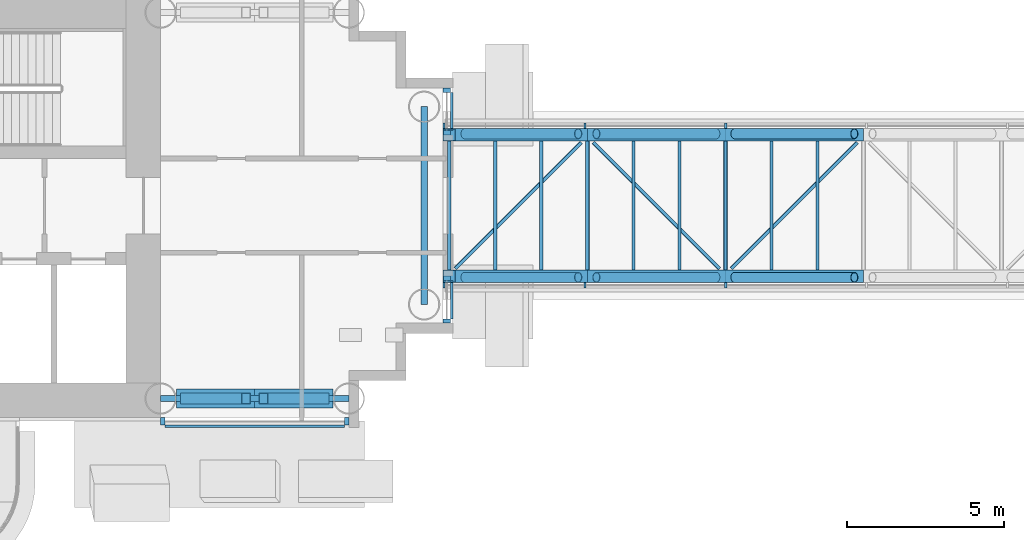
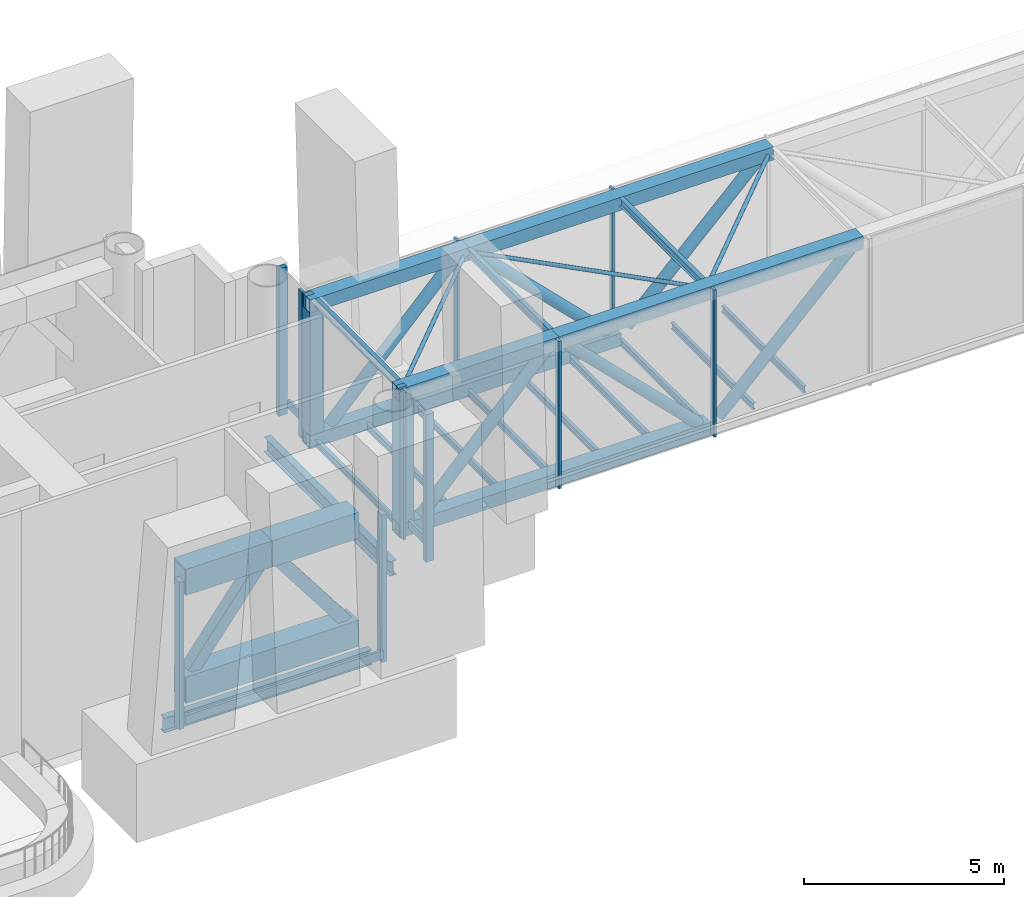
# One storey, part 4 of 27: 37 members, 14 beams, 5 elements without a shape of their own.
"""IFC4 building model written with IfcOpenShell, lengths in metres."""

from ifc_helpers import new_model, si_unit, direction, frame, origin, origin_2d, place, context, subcontext, project, spatial, rectangle, hollow_rectangle, hollow_circle, i_section, extrude, material, layer, layer_set, material_profile, profile_set, type_object, element, aggregate, save


model = new_model("IFC4")

# Units and contexts
model_context = context("Model", 3, precision=1e-05, world=origin(), true_north=direction((0.0, 1.0)))
body_context = subcontext(model_context, "Body", "Model", "MODEL_VIEW")
ifc_project = project(units=[si_unit("LENGTHUNIT", "METRE"), si_unit("AREAUNIT", "SQUARE_METRE"), si_unit("VOLUMEUNIT", "CUBIC_METRE"), si_unit("PLANEANGLEUNIT", "RADIAN"), si_unit("MASSUNIT", "GRAM", prefix="KILO")], contexts=[model_context])

# Site, building, storey
site_placement = place(None, origin())
site = spatial("IfcSite", under=ifc_project, at=site_placement, CompositionType="ELEMENT")
building_placement = place(site_placement, origin())
building = spatial("IfcBuilding", under=site, at=building_placement, Name="Ipe Terrace Towers", CompositionType="ELEMENT")
storey_placement = place(building_placement, frame((0.0, 0.0, 72.10009765625)))
storey = spatial("IfcBuildingStorey", under=building, at=storey_placement, Name="L19", CompositionType="ELEMENT", Elevation=72.10009765625)

# Curtain wall, members
ifc_material_1 = material(Name="Aluminium alloy 6063-T6", Category="aluminium")
ifc_layer_1 = layer(ifc_material_1, 0.300048828125)
ifc_layer_set_1 = layer_set([ifc_layer_1], Name="BRIDGE ENCLOSURE CURTAIN WALL")
curtain_wall_type_1 = type_object("IfcCurtainWallType", Name="BRIDGE ENCLOSURE CURTAIN WALL", PredefinedType="NOTDEFINED", material=ifc_layer_set_1)
curtain_wall_1_placement = place(storey_placement, origin())
curtain_wall_1 = element("IfcCurtainWall", 1, at=curtain_wall_1_placement, inside=storey, type_object=curtain_wall_type_1, Name="BR1-CW1 curtain wall", PredefinedType="NOTDEFINED")
ifc_material_2 = material(Name="Aluminium alloy 6063-T6", Category="aluminium")
ifc_material_profile_1 = material_profile(ifc_material_2, rectangle(XDim=0.179931640625, YDim=0.070068359375, at=origin_2d()), Name="BRIDGE ENCLOSURE MULLION 180 x 70")
ifc_profile_set_1 = profile_set([ifc_material_profile_1], Name="Aluminium alloy 6063-T6")
member_type_1 = type_object("IfcMemberType", Name="BRIDGE ENCLOSURE MULLION 180 x 70", PredefinedType="MULLION", material=ifc_profile_set_1)
member_1_placement = place(storey_placement, frame((-2.23828125, 2.544921875, -0.300048828125), z_axis=(0.0, 0.0, 1.0), x_axis=(0.0, 1.0, 0.0)))
member_1 = element("IfcMember", 2, at=member_1_placement, type_object=member_type_1, Name="BR1-CW1 mullion 5", PredefinedType="MULLION", context=body_context, shape_type="SweptSolid", body=[
    extrude(rectangle(XDim=0.179931640625, YDim=0.070068359375, at=origin_2d()), origin(), (0.0, 0.0, 1.0), 4.5),
])
member_2_placement = place(storey_placement, frame((-6.7265625, 2.544921875, -0.300048828125), z_axis=(0.0, 0.0, 1.0), x_axis=(0.0, 1.0, 0.0)))
member_2 = element("IfcMember", 3, at=member_2_placement, type_object=member_type_1, Name="BR1-CW1 mullion 6", PredefinedType="MULLION", context=body_context, shape_type="SweptSolid", body=[
    extrude(rectangle(XDim=0.179931640625, YDim=0.070068359375, at=origin_2d()), origin(), (0.0, 0.0, 1.0), 4.5),
])
member_3_placement = place(storey_placement, frame((-11.215087890625, 2.544921875, -0.300048828125), z_axis=(0.0, 0.0, 1.0), x_axis=(0.0, 1.0, 0.0)))
member_3 = element("IfcMember", 4, at=member_3_placement, type_object=member_type_1, Name="BR1-CW1 mullion 7", PredefinedType="MULLION", context=body_context, shape_type="SweptSolid", body=[
    extrude(rectangle(XDim=0.179931640625, YDim=0.070068359375, at=origin_2d()), origin(), (0.0, 0.0, 1.0), 4.5),
])
aggregate(curtain_wall_1, [member_1, member_2, member_3])

curtain_wall_2_placement = place(storey_placement, origin())
curtain_wall_2 = element("IfcCurtainWall", 5, at=curtain_wall_2_placement, inside=storey, type_object=curtain_wall_type_1, Name="BR1-CW2 curtain wall", PredefinedType="NOTDEFINED")
member_4_placement = place(storey_placement, frame((-11.215087890625, -2.544921875, -0.300048828125), z_axis=(0.0, 0.0, 1.0), x_axis=(0.0, -1.0, 0.0)))
member_4 = element("IfcMember", 6, at=member_4_placement, type_object=member_type_1, Name="BR1-CW2 mullion 1", PredefinedType="MULLION", context=body_context, shape_type="SweptSolid", body=[
    extrude(rectangle(XDim=0.179931640625, YDim=0.070068359375, at=origin_2d()), origin(), (0.0, 0.0, 1.0), 4.5),
])
member_5_placement = place(storey_placement, frame((-6.7265625, -2.544921875, -0.300048828125), z_axis=(0.0, 0.0, 1.0), x_axis=(0.0, -1.0, 0.0)))
member_5 = element("IfcMember", 7, at=member_5_placement, type_object=member_type_1, Name="BR1-CW2 mullion 2", PredefinedType="MULLION", context=body_context, shape_type="SweptSolid", body=[
    extrude(rectangle(XDim=0.179931640625, YDim=0.070068359375, at=origin_2d()), origin(), (0.0, 0.0, 1.0), 4.5),
])
member_6_placement = place(storey_placement, frame((-2.23828125, -2.544921875, -0.300048828125), z_axis=(0.0, 0.0, 1.0), x_axis=(0.0, -1.0, 0.0)))
member_6 = element("IfcMember", 8, at=member_6_placement, type_object=member_type_1, Name="BR1-CW2 mullion 3", PredefinedType="MULLION", context=body_context, shape_type="SweptSolid", body=[
    extrude(rectangle(XDim=0.179931640625, YDim=0.070068359375, at=origin_2d()), origin(), (0.0, 0.0, 1.0), 4.5),
])
aggregate(curtain_wall_2, [member_4, member_5, member_6])

# Members
ifc_material_3 = material(Name="Steel S355", Category="steel")
ifc_material_profile_2 = material_profile(ifc_material_3, hollow_rectangle(XDim=0.39990234375, YDim=0.39990234375, WallThickness=0.02001953125, at=origin_2d()), Name="BRIDGE-CHORD BOX 400x400x20")
ifc_profile_set_2 = profile_set([ifc_material_profile_2], Name="Steel S355")
member_type_2 = type_object("IfcMemberType", Name="BRIDGE-CHORD BOX 400x400x20", PredefinedType="CHORD", material=ifc_profile_set_2)
member_7_placement = place(storey_placement, frame((-11.25, -2.25, -0.150146484375), z_axis=(1.0, 0.0, 0.0), x_axis=(0.0, 1.0, 0.0)))
element("IfcMember", 9, at=member_7_placement, inside=storey, type_object=member_type_2, Name="BR1-TSBC-001 bottom chord", PredefinedType="CHORD", context=body_context, shape_type="SweptSolid", body=[
    extrude(hollow_rectangle(XDim=0.39990234375, YDim=0.39990234375, WallThickness=0.02001953125, at=origin_2d()), origin(), (0.0, 0.0, 1.0), 9.0),
])
member_8_placement = place(storey_placement, frame((-11.25, -2.25, 4.0), z_axis=(1.0, 0.0, 0.0), x_axis=(0.0, 1.0, 0.0)))
element("IfcMember", 10, at=member_8_placement, inside=storey, type_object=member_type_2, Name="BR1-TSTC-004 top chord", PredefinedType="CHORD", context=body_context, shape_type="SweptSolid", body=[
    extrude(hollow_rectangle(XDim=0.39990234375, YDim=0.39990234375, WallThickness=0.02001953125, at=origin_2d()), origin(), (0.0, 0.0, 1.0), 4.60009765625),
])
member_9_placement = place(storey_placement, frame((-6.64990234375, -2.25, 4.0), z_axis=(1.0, 0.0, 0.0), x_axis=(0.0, 1.0, 0.0)))
element("IfcMember", 11, at=member_9_placement, inside=storey, type_object=member_type_2, Name="BR1-TSTC-005 top chord", PredefinedType="CHORD", context=body_context, shape_type="SweptSolid", body=[
    extrude(hollow_rectangle(XDim=0.39990234375, YDim=0.39990234375, WallThickness=0.02001953125, at=origin_2d()), origin(), (0.0, 0.0, 1.0), 8.7998046875),
])
member_10_placement = place(storey_placement, frame((-11.25, 2.25, -0.150146484375), z_axis=(1.0, 0.0, 0.0), x_axis=(0.0, 1.0, 0.0)))
element("IfcMember", 12, at=member_10_placement, inside=storey, type_object=member_type_2, Name="BR1-TNBC-016 bottom chord", PredefinedType="CHORD", context=body_context, shape_type="SweptSolid", body=[
    extrude(hollow_rectangle(XDim=0.39990234375, YDim=0.39990234375, WallThickness=0.02001953125, at=origin_2d()), origin(), (0.0, 0.0, 1.0), 9.0),
])
member_11_placement = place(storey_placement, frame((-11.25, 2.25, 4.0), z_axis=(1.0, 0.0, 0.0), x_axis=(0.0, 1.0, 0.0)))
element("IfcMember", 13, at=member_11_placement, inside=storey, type_object=member_type_2, Name="BR1-TNTC-019 top chord", PredefinedType="CHORD", context=body_context, shape_type="SweptSolid", body=[
    extrude(hollow_rectangle(XDim=0.39990234375, YDim=0.39990234375, WallThickness=0.02001953125, at=origin_2d()), origin(), (0.0, 0.0, 1.0), 4.60009765625),
])
member_12_placement = place(storey_placement, frame((-6.64990234375, 2.25, 4.0), z_axis=(1.0, 0.0, 0.0), x_axis=(0.0, 1.0, 0.0)))
element("IfcMember", 14, at=member_12_placement, inside=storey, type_object=member_type_2, Name="BR1-TNTC-020 top chord", PredefinedType="CHORD", context=body_context, shape_type="SweptSolid", body=[
    extrude(hollow_rectangle(XDim=0.39990234375, YDim=0.39990234375, WallThickness=0.02001953125, at=origin_2d()), origin(), (0.0, 0.0, 1.0), 8.7998046875),
])

# Beams
ifc_material_4 = material(Name="Steel S355", Category="steel")
ifc_material_profile_3 = material_profile(ifc_material_4, i_section(OverallWidth=0.10009765625, OverallDepth=0.199951171875, WebThickness=0.005615234375, FlangeThickness=0.008056640625, at=origin_2d()), Name="H200x100")
ifc_profile_set_3 = profile_set([ifc_material_profile_3], Name="Steel S355")
beam_type_1 = type_object("IfcBeamType", Name="BRIDGE-DECK BEAM H200x100", PredefinedType="BEAM", material=ifc_profile_set_3)
for number, where, z_axis, x_axis, name in (
    (15, (-11.050048828125, -2.050048828125, -0.22021484375), (0.0, 1.0, 0.0), (-1.0, 0.0, 0.0), "BR1-DB-031 deck beam"),
    (16, (-9.5830078125, -2.050048828125, -0.22021484375), (0.0, 1.0, 0.0), (-1.0, 0.0, 0.0), "BR1-DB-032 deck beam"),
    (17, (-8.116943359375, -2.050048828125, -0.22021484375), (0.0, 1.0, 0.0), (-1.0, 0.0, 0.0), "BR1-DB-033 deck beam"),
    (18, (-6.64990234375, -2.050048828125, -0.22021484375), (0.0, 1.0, 0.0), (-1.0, 0.0, 0.0), "BR1-DB-034 deck beam"),
    (19, (-5.18310546875, -2.050048828125, -0.22021484375), (0.0, 1.0, 0.0), (-1.0, 0.0, 0.0), "BR1-DB-035 deck beam"),
    (20, (-3.717041015625, -2.050048828125, -0.22021484375), (0.0, 1.0, 0.0), (-1.0, 0.0, 0.0), "BR1-DB-036 deck beam"),
    (21, (-2.25, -2.050048828125, -0.22021484375), (0.0, 1.0, 0.0), (-1.0, 0.0, 0.0), "BR1-DB-037 deck beam"),
    (22, (-0.782958984375, -2.050048828125, -0.22021484375), (0.0, 1.0, 0.0), (-1.0, 0.0, 0.0), "BR1-DB-038 deck beam"),
    (23, (0.68310546875, -2.050048828125, -0.22021484375), (0.0, 1.0, 0.0), (-1.0, 0.0, 0.0), "BR1-DB-039 deck beam"),
):
    element("IfcBeam", number, at=place(storey_placement, frame(where, z_axis=z_axis, x_axis=x_axis)), inside=storey, type_object=beam_type_1, Name=name, PredefinedType="BEAM", context=body_context, shape_type="SweptSolid", body=[
        extrude(i_section(OverallWidth=0.10009765625, OverallDepth=0.199951171875, WebThickness=0.005615234375, FlangeThickness=0.008056640625, at=origin_2d()), origin(), (0.0, 0.0, 1.0), 4.10009765625),
    ])

# Members
ifc_material_5 = material(Name="Steel S355", Category="steel")
ifc_material_profile_4 = material_profile(ifc_material_5, hollow_circle(Radius=0.162109375, WallThickness=0.013916015625, at=origin_2d()), Name="BRIDGE-DIAGONAL CHS 324x14")
ifc_profile_set_4 = profile_set([ifc_material_profile_4], Name="Steel S355")
member_type_3 = type_object("IfcMemberType", Name="BRIDGE-DIAGONAL CHS 324x14", PredefinedType="BRACE", material=ifc_profile_set_4)
member_13_placement = place(storey_placement, frame((-10.55908203125, -2.2880859375, 0.02978515625), z_axis=(0.690515639741, 0.0, 0.723317462304), x_axis=(0.0, 1.0, 0.0)))
element("IfcMember", 24, at=member_13_placement, inside=storey, type_object=member_type_3, Name="BR1-TSD-010 diagonal", PredefinedType="BRACE", context=body_context, shape_type="SweptSolid", body=[
    extrude(hollow_circle(Radius=0.162109375, WallThickness=0.013916015625, at=origin_2d()), origin(), (0.0, 0.0, 1.0), 5.23974609375),
])
for number, where, z_axis, x_axis, name in (
    (25, (-6.360107421875, -2.2880859375, 3.81982421875), (0.709891480429, 0.0, -0.70431107191), (0.0, 1.0, 0.0), "BR1-TSD-011 diagonal"),
    (26, (-1.9599609375, -2.2880859375, 0.02978515625), (0.709891480429, 0.0, 0.70431107191), (0.0, 1.0, 0.0), "BR1-TSD-012 diagonal"),
):
    element("IfcMember", number, at=place(storey_placement, frame(where, z_axis=z_axis, x_axis=x_axis)), inside=storey, type_object=member_type_3, Name=name, PredefinedType="BRACE", context=body_context, shape_type="SweptSolid", body=[
        extrude(hollow_circle(Radius=0.162109375, WallThickness=0.013916015625, at=origin_2d()), origin(), (0.0, 0.0, 1.0), 5.381103515625),
    ])
member_14_placement = place(storey_placement, frame((-10.55908203125, 2.2880859375, 0.02978515625), z_axis=(0.690515639741, 0.0, 0.723317462304), x_axis=(0.0, 1.0, 0.0)))
element("IfcMember", 27, at=member_14_placement, inside=storey, type_object=member_type_3, Name="BR1-TND-025 diagonal", PredefinedType="BRACE", context=body_context, shape_type="SweptSolid", body=[
    extrude(hollow_circle(Radius=0.162109375, WallThickness=0.013916015625, at=origin_2d()), origin(), (0.0, 0.0, 1.0), 5.23974609375),
])
for number, where, z_axis, x_axis, name in (
    (28, (-6.360107421875, 2.2880859375, 3.81982421875), (0.709891480429, 0.0, -0.70431107191), (0.0, 1.0, 0.0), "BR1-TND-026 diagonal"),
    (29, (-1.9599609375, 2.2880859375, 0.02978515625), (0.709891480429, 0.0, 0.70431107191), (0.0, 1.0, 0.0), "BR1-TND-027 diagonal"),
):
    element("IfcMember", number, at=place(storey_placement, frame(where, z_axis=z_axis, x_axis=x_axis)), inside=storey, type_object=member_type_3, Name=name, PredefinedType="BRACE", context=body_context, shape_type="SweptSolid", body=[
        extrude(hollow_circle(Radius=0.162109375, WallThickness=0.013916015625, at=origin_2d()), origin(), (0.0, 0.0, 1.0), 5.381103515625),
    ])
ifc_material_6 = material(Name="Steel S355", Category="steel")
ifc_material_profile_5 = material_profile(ifc_material_6, hollow_circle(Radius=0.05712890625, WallThickness=0.006103515625, at=origin_2d()), Name="BRIDGE-PLAN BRACE CHS 114x6")
ifc_profile_set_5 = profile_set([ifc_material_profile_5], Name="Steel S355")
member_type_4 = type_object("IfcMemberType", Name="BRIDGE-PLAN BRACE CHS 114x6", PredefinedType="BRACE", material=ifc_profile_set_5)
for number, where, z_axis, x_axis, name in (
    (30, (-10.860107421875, -2.010009765625, 4.0), (0.707106781187, 0.707106781187, 0.0), (-0.707106781187, 0.707106781187, 0.0), "BR1-PB-057 roof plan brace"),
    (31, (-6.4599609375, 2.010009765625, 4.0), (0.707106781187, -0.707106781187, 0.0), (0.707106781187, 0.707106781187, 0.0), "BR1-PB-058 roof plan brace"),
    (32, (-2.06005859375, -2.010009765625, 4.0), (0.707106781187, 0.707106781187, 0.0), (-0.707106781187, 0.707106781187, 0.0), "BR1-PB-059 roof plan brace"),
):
    element("IfcMember", number, at=place(storey_placement, frame(where, z_axis=z_axis, x_axis=x_axis)), inside=storey, type_object=member_type_4, Name=name, PredefinedType="BRACE", context=body_context, shape_type="SweptSolid", body=[
        extrude(hollow_circle(Radius=0.05712890625, WallThickness=0.006103515625, at=origin_2d()), origin(), (0.0, 0.0, 1.0), 5.68505859375),
    ])
ifc_material_7 = material(Name="Steel S355", Category="steel")
ifc_material_profile_6 = material_profile(ifc_material_7, hollow_rectangle(XDim=0.39990234375, YDim=0.39990234375, WallThickness=0.02001953125, at=origin_2d()), Name="BRIDGE-POST BOX 400x400x20")
ifc_profile_set_6 = profile_set([ifc_material_profile_6], Name="Steel S355")
member_type_5 = type_object("IfcMemberType", Name="BRIDGE-POST BOX 400x400x20", PredefinedType="POST", material=ifc_profile_set_6)
for number, where, z_axis, x_axis, name in (
    (33, (-11.050048828125, -2.25, 0.0498046875), (0.0, 0.0, 1.0), (1.0, 0.0, 0.0), "BR1-TSP-008 end post"),
    (34, (-11.050048828125, 2.25, 0.0498046875), (0.0, 0.0, 1.0), (1.0, 0.0, 0.0), "BR1-TNP-023 end post"),
):
    element("IfcMember", number, at=place(storey_placement, frame(where, z_axis=z_axis, x_axis=x_axis)), inside=storey, type_object=member_type_5, Name=name, PredefinedType="POST", context=body_context, shape_type="SweptSolid", body=[
        extrude(hollow_rectangle(XDim=0.39990234375, YDim=0.39990234375, WallThickness=0.02001953125, at=origin_2d()), origin(), (0.0, 0.0, 1.0), 3.75),
    ])

# Beams
ifc_material_8 = material(Name="Steel S355", Category="steel")
ifc_material_profile_7 = material_profile(ifc_material_8, i_section(OverallWidth=0.125, OverallDepth=0.25, WebThickness=0.006103515625, FlangeThickness=0.009033203125, at=origin_2d()), Name="H250x125")
ifc_profile_set_7 = profile_set([ifc_material_profile_7], Name="Steel S355")
beam_type_2 = type_object("IfcBeamType", Name="BRIDGE-ROOF BEAM H250x125", PredefinedType="BEAM", material=ifc_profile_set_7)
for number, where, z_axis, x_axis, name in (
    (35, (-11.050048828125, -2.050048828125, 4.074951171875), (0.0, 1.0, 0.0), (-1.0, 0.0, 0.0), "BR1-RB-050 roof beam"),
    (36, (-6.64990234375, -2.050048828125, 4.074951171875), (0.0, 1.0, 0.0), (-1.0, 0.0, 0.0), "BR1-RB-051 roof beam"),
    (37, (-2.25, -2.050048828125, 4.074951171875), (0.0, 1.0, 0.0), (-1.0, 0.0, 0.0), "BR1-RB-052 roof beam"),
):
    element("IfcBeam", number, at=place(storey_placement, frame(where, z_axis=z_axis, x_axis=x_axis)), inside=storey, type_object=beam_type_2, Name=name, PredefinedType="BEAM", context=body_context, shape_type="SweptSolid", body=[
        extrude(i_section(OverallWidth=0.125, OverallDepth=0.25, WebThickness=0.006103515625, FlangeThickness=0.009033203125, at=origin_2d()), origin(), (0.0, 0.0, 1.0), 4.10009765625),
    ])
ifc_material_9 = material(Name="Steel S355", Category="steel")
ifc_material_profile_8 = material_profile(ifc_material_9, i_section(OverallWidth=0.199951171875, OverallDepth=0.449951171875, WebThickness=0.009033203125, FlangeThickness=0.013916015625, at=origin_2d()), Name="H-450x200x9x14")
ifc_profile_set_8 = profile_set([ifc_material_profile_8], Name="Steel S355")
beam_type_3 = type_object("IfcBeamType", Name="H08 EDGE BEAM H-450x200x9x14", PredefinedType="BEAM", material=ifc_profile_set_8)
beam_1_placement = place(storey_placement, frame((-20.25, -6.14990234375, -0.625), z_axis=(1.0, 0.0, 0.0), x_axis=(0.0, 1.0, 0.0)))
element("IfcBeam", 38, at=beam_1_placement, inside=storey, type_object=beam_type_3, Name="Edge beam T1-EB-A01-A03", PredefinedType="BEAM", context=body_context, shape_type="SweptSolid", body=[
    extrude(i_section(OverallWidth=0.199951171875, OverallDepth=0.449951171875, WebThickness=0.009033203125, FlangeThickness=0.013916015625, at=origin_2d()), origin(), (0.0, 0.0, 1.0), 6.0),
])
beam_2_placement = place(storey_placement, frame((-11.85009765625, -3.14990234375, -0.625), z_axis=(0.0, 1.0, 0.0), x_axis=(-1.0, 0.0, 0.0)))
element("IfcBeam", 39, at=beam_2_placement, inside=storey, type_object=beam_type_3, Name="Edge beam T1-EB-A05-A06", PredefinedType="BEAM", context=body_context, shape_type="SweptSolid", body=[
    extrude(i_section(OverallWidth=0.199951171875, OverallDepth=0.449951171875, WebThickness=0.009033203125, FlangeThickness=0.013916015625, at=origin_2d()), origin(), (0.0, 0.0, 1.0), 6.2998046875),
])

# Members
ifc_material_10 = material(Name="Steel S355", Category="steel")
ifc_material_profile_9 = material_profile(ifc_material_10, hollow_rectangle(XDim=0.35009765625, YDim=0.35009765625, WallThickness=0.02001953125, at=origin_2d()), Name="OUTRIGGER-BRACE BOX 350x350x20")
ifc_profile_set_9 = profile_set([ifc_material_profile_9], Name="Steel S355")
member_type_6 = type_object("IfcMemberType", Name="OUTRIGGER-BRACE BOX 350x350x20", PredefinedType="BRACE", material=ifc_profile_set_9)
for number, where, z_axis, x_axis, name in (
    (40, (-19.471923828125, -6.14990234375, 0.77978515625), (0.60773905456, 0.0, 0.794136790209), (0.0, 1.0, 0.0), "T1-OR-L19-067 diagonal"),
    (41, (-15.028076171875, -6.14990234375, 0.77978515625), (-0.60773905456, 0.0, 0.794136790209), (0.0, -1.0, 0.0), "T1-OR-L19-068 diagonal"),
):
    element("IfcMember", number, at=place(storey_placement, frame(where, z_axis=z_axis, x_axis=x_axis)), inside=storey, type_object=member_type_6, Name=name, PredefinedType="BRACE", context=body_context, shape_type="SweptSolid", body=[
        extrude(hollow_rectangle(XDim=0.35009765625, YDim=0.35009765625, WallThickness=0.02001953125, at=origin_2d()), origin(), (0.0, 0.0, 1.0), 3.198486328125),
    ])
ifc_material_11 = material(Name="Steel S355", Category="steel")
ifc_material_profile_10 = material_profile(ifc_material_11, hollow_rectangle(XDim=0.60009765625, YDim=0.800048828125, WallThickness=0.0400390625, at=origin_2d()), Name="OUTRIGGER-CHORD BOX 600x800x40")
ifc_profile_set_10 = profile_set([ifc_material_profile_10], Name="Steel S355")
member_type_7 = type_object("IfcMemberType", Name="OUTRIGGER-CHORD BOX 600x800x40", PredefinedType="CHORD", material=ifc_profile_set_10)
member_15_placement = place(storey_placement, frame((-19.75, -6.14990234375, 0.39990234375), z_axis=(1.0, 0.0, 0.0), x_axis=(0.0, 1.0, 0.0)))
element("IfcMember", 42, at=member_15_placement, inside=storey, type_object=member_type_7, Name="T1-OR-L19-066 bottom chord", PredefinedType="CHORD", context=body_context, shape_type="SweptSolid", body=[
    extrude(hollow_rectangle(XDim=0.60009765625, YDim=0.800048828125, WallThickness=0.0400390625, at=origin_2d()), origin(), (0.0, 0.0, 1.0), 5.0),
])
for number, where, z_axis, x_axis, name in (
    (43, (-19.75, -6.14990234375, 3.699951171875), (1.0, 0.0, 0.0), (0.0, 1.0, 0.0), "T1-OR-L19-069 top chord"),
    (44, (-17.25, -6.14990234375, 3.699951171875), (1.0, 0.0, 0.0), (0.0, 1.0, 0.0), "T1-OR-L19-070 top chord"),
):
    element("IfcMember", number, at=place(storey_placement, frame(where, z_axis=z_axis, x_axis=x_axis)), inside=storey, type_object=member_type_7, Name=name, PredefinedType="CHORD", context=body_context, shape_type="SweptSolid", body=[
        extrude(hollow_rectangle(XDim=0.60009765625, YDim=0.800048828125, WallThickness=0.0400390625, at=origin_2d()), origin(), (0.0, 0.0, 1.0), 2.5),
    ])

# Curtain wall, members
ifc_material_12 = material(Name="Aluminium alloy 6063-T6", Category="aluminium")
ifc_layer_2 = layer(ifc_material_12, 0.320068359375)
ifc_layer_set_2 = layer_set([ifc_layer_2], Name="REFUGE FLOOR CURTAIN WALL")
curtain_wall_type_2 = type_object("IfcCurtainWallType", Name="REFUGE FLOOR CURTAIN WALL", PredefinedType="NOTDEFINED", material=ifc_layer_set_2)
curtain_wall_3_placement = place(storey_placement, origin())
curtain_wall_3 = element("IfcCurtainWall", 45, at=curtain_wall_3_placement, inside=storey, type_object=curtain_wall_type_2, Name="T1-CW-L19-20b curtain wall", PredefinedType="NOTDEFINED")
ifc_material_13 = material(Name="Aluminium alloy 6063-T6", Category="aluminium")
ifc_material_profile_11 = material_profile(ifc_material_13, rectangle(XDim=0.239990234375, YDim=0.139892578125, at=origin_2d()), Name="REFUGE FLOOR CORNER MULLION 240 x 140")
ifc_profile_set_11 = profile_set([ifc_material_profile_11], Name="Aluminium alloy 6063-T6")
member_type_8 = type_object("IfcMemberType", Name="REFUGE FLOOR CORNER MULLION 240 x 140", PredefinedType="MULLION", material=ifc_profile_set_11)
member_16_placement = place(storey_placement, frame((-20.178955078125, -6.8701171875, -0.300048828125), z_axis=(0.0, 0.0, 1.0), x_axis=(0.0, -1.0, 0.0)))
member_16 = element("IfcMember", 46, at=member_16_placement, type_object=member_type_8, Name="T1-CW-L19-20b mullion 1", PredefinedType="MULLION", context=body_context, shape_type="SweptSolid", body=[
    extrude(rectangle(XDim=0.239990234375, YDim=0.139892578125, at=origin_2d()), origin(), (0.0, 0.0, 1.0), 4.5),
])
member_17_placement = place(storey_placement, frame((-14.320068359375, -6.8701171875, -0.300048828125), z_axis=(0.0, 0.0, 1.0), x_axis=(0.0, -1.0, 0.0)))
member_17 = element("IfcMember", 47, at=member_17_placement, type_object=member_type_8, Name="T1-CW-L19-20b mullion 2", PredefinedType="MULLION", context=body_context, shape_type="SweptSolid", body=[
    extrude(rectangle(XDim=0.239990234375, YDim=0.139892578125, at=origin_2d()), origin(), (0.0, 0.0, 1.0), 4.5),
])

curtain_wall_4_placement = place(storey_placement, origin())
curtain_wall_4 = element("IfcCurtainWall", 48, at=curtain_wall_4_placement, inside=storey, type_object=curtain_wall_type_2, Name="T1-CW-L19-25a curtain wall", PredefinedType="NOTDEFINED")
member_18_placement = place(storey_placement, frame((-11.1298828125, -3.679931640625, -0.300048828125), z_axis=(0.0, 0.0, 1.0), x_axis=(1.0, 0.0, 0.0)))
member_18 = element("IfcMember", 49, at=member_18_placement, type_object=member_type_8, Name="T1-CW-L19-25a mullion 1", PredefinedType="MULLION", context=body_context, shape_type="SweptSolid", body=[
    extrude(rectangle(XDim=0.239990234375, YDim=0.139892578125, at=origin_2d()), origin(), (0.0, 0.0, 1.0), 4.5),
])
member_19_placement = place(storey_placement, frame((-11.1298828125, -2.320068359375, -0.300048828125), z_axis=(0.0, 0.0, 1.0), x_axis=(1.0, 0.0, 0.0)))
member_19 = element("IfcMember", 50, at=member_19_placement, type_object=member_type_8, Name="T1-CW-L19-25a mullion 2", PredefinedType="MULLION", context=body_context, shape_type="SweptSolid", body=[
    extrude(rectangle(XDim=0.239990234375, YDim=0.139892578125, at=origin_2d()), origin(), (0.0, 0.0, 1.0), 4.5),
])

curtain_wall_5_placement = place(storey_placement, origin())
curtain_wall_5 = element("IfcCurtainWall", 51, at=curtain_wall_5_placement, inside=storey, type_object=curtain_wall_type_2, Name="T1-CW-L19-25c curtain wall", PredefinedType="NOTDEFINED")
member_20_placement = place(storey_placement, frame((-11.1298828125, 2.320068359375, -0.300048828125), z_axis=(0.0, 0.0, 1.0), x_axis=(1.0, 0.0, 0.0)))
member_20 = element("IfcMember", 52, at=member_20_placement, type_object=member_type_8, Name="T1-CW-L19-25c mullion 1", PredefinedType="MULLION", context=body_context, shape_type="SweptSolid", body=[
    extrude(rectangle(XDim=0.239990234375, YDim=0.139892578125, at=origin_2d()), origin(), (0.0, 0.0, 1.0), 4.5),
])
member_21_placement = place(storey_placement, frame((-11.1298828125, 3.679931640625, -0.300048828125), z_axis=(0.0, 0.0, 1.0), x_axis=(1.0, 0.0, 0.0)))
member_21 = element("IfcMember", 53, at=member_21_placement, type_object=member_type_8, Name="T1-CW-L19-25c mullion 2", PredefinedType="MULLION", context=body_context, shape_type="SweptSolid", body=[
    extrude(rectangle(XDim=0.239990234375, YDim=0.139892578125, at=origin_2d()), origin(), (0.0, 0.0, 1.0), 4.5),
])

# Member
ifc_material_14 = material(Name="Aluminium alloy 6063-T6", Category="aluminium")
ifc_material_profile_12 = material_profile(ifc_material_14, rectangle(XDim=0.080078125, YDim=0.260009765625, at=origin_2d()), Name="REFUGE FLOOR TRANSOM 80 x 260")
ifc_profile_set_12 = profile_set([ifc_material_profile_12], Name="Aluminium alloy 6063-T6")
member_type_9 = type_object("IfcMemberType", Name="REFUGE FLOOR TRANSOM 80 x 260", PredefinedType="USERDEFINED", material=ifc_profile_set_12)
member_22_placement = place(storey_placement, frame((-20.10888671875, -7.030029296875, 0.0), z_axis=(1.0, 0.0, 0.0), x_axis=(0.0, -1.0, 0.0)))
member_22 = element("IfcMember", 54, at=member_22_placement, type_object=member_type_9, Name="T1-CW-L19-20b transom", ObjectType="TRANSOM", PredefinedType="USERDEFINED", context=body_context, shape_type="SweptSolid", body=[
    extrude(rectangle(XDim=0.080078125, YDim=0.260009765625, at=origin_2d()), origin(), (0.0, 0.0, 1.0), 5.718994140625),
])

aggregate(curtain_wall_3, [member_16, member_17, member_22])

member_23_placement = place(storey_placement, frame((-10.969970703125, -3.610107421875, 0.0), z_axis=(0.0, 1.0, 0.0), x_axis=(1.0, 0.0, 0.0)))
member_23 = element("IfcMember", 55, at=member_23_placement, type_object=member_type_9, Name="T1-CW-L19-25a transom", ObjectType="TRANSOM", PredefinedType="USERDEFINED", context=body_context, shape_type="SweptSolid", body=[
    extrude(rectangle(XDim=0.080078125, YDim=0.260009765625, at=origin_2d()), origin(), (0.0, 0.0, 1.0), 1.22021484375),
])

aggregate(curtain_wall_4, [member_18, member_19, member_23])

member_24_placement = place(storey_placement, frame((-10.969970703125, 2.389892578125, 0.0), z_axis=(0.0, 1.0, 0.0), x_axis=(1.0, 0.0, 0.0)))
member_24 = element("IfcMember", 56, at=member_24_placement, type_object=member_type_9, Name="T1-CW-L19-25c transom", ObjectType="TRANSOM", PredefinedType="USERDEFINED", context=body_context, shape_type="SweptSolid", body=[
    extrude(rectangle(XDim=0.080078125, YDim=0.260009765625, at=origin_2d()), origin(), (0.0, 0.0, 1.0), 1.22021484375),
])

aggregate(curtain_wall_5, [member_20, member_21, member_24])

save(model, "model.ifc")
